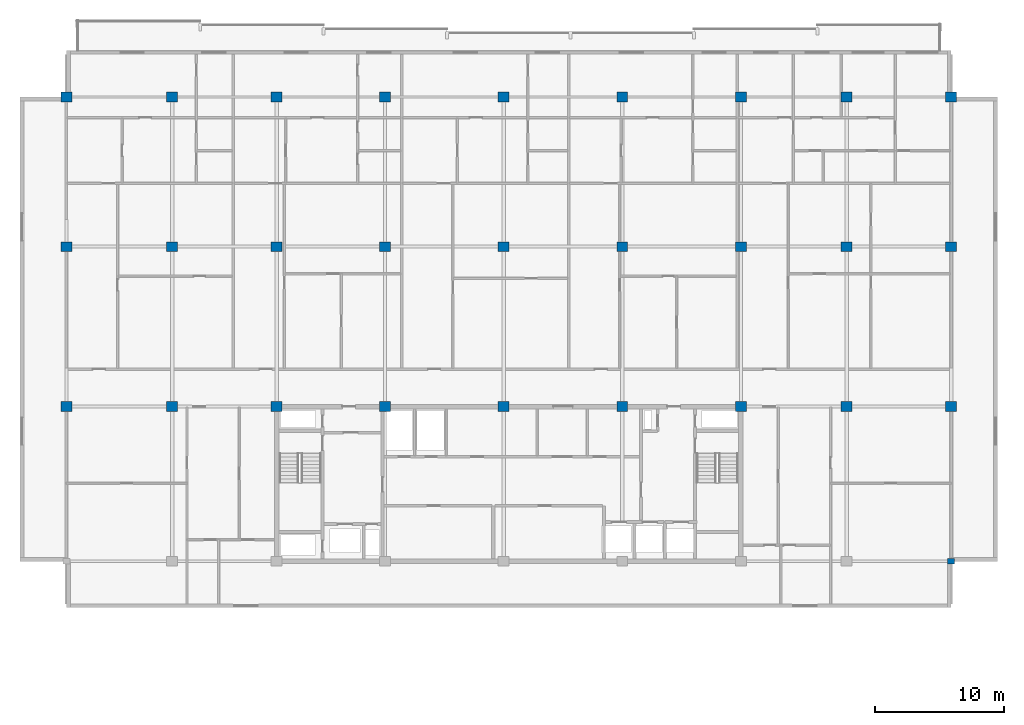
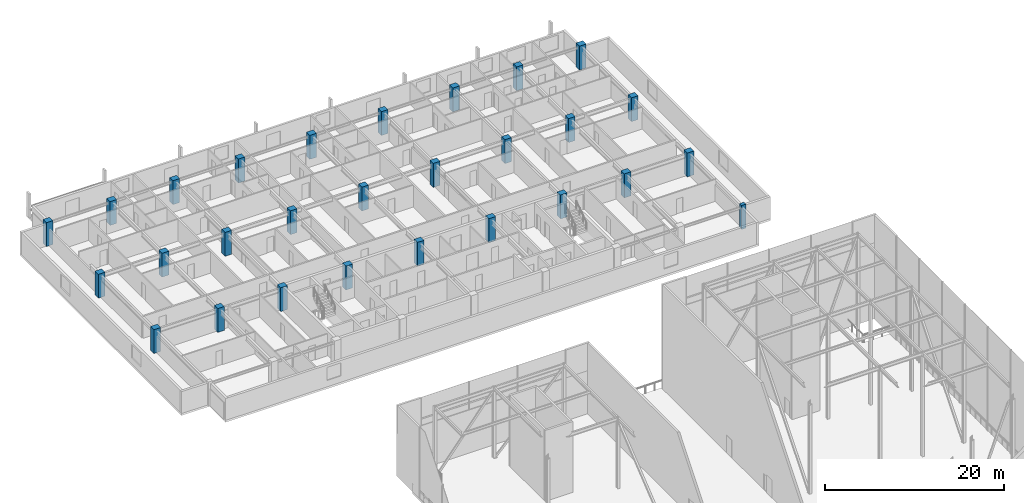
# One storey, part 5 of 42: 28 columns.
"""IFC4 building model written with IfcOpenShell, lengths in metres."""

from ifc_helpers import new_model, si_unit, direction, frame, origin, origin_2d, place, context, subcontext, project, spatial, rectangle, extrude, material, material_profile, profile_set, type_object, element, save


model = new_model("IFC4")

# Units and contexts
model_context = context("Model", 3, precision=1e-05, world=origin(), true_north=direction((0.0, 1.0)))
body_context = subcontext(model_context, "Body", "Model", "MODEL_VIEW")
ifc_project = project(units=[si_unit("LENGTHUNIT", "METRE"), si_unit("AREAUNIT", "SQUARE_METRE"), si_unit("VOLUMEUNIT", "CUBIC_METRE"), si_unit("PLANEANGLEUNIT", "RADIAN"), si_unit("MASSUNIT", "GRAM", prefix="KILO")], contexts=[model_context])

# Site, building, storey
site_placement = place(None, origin())
site = spatial("IfcSite", under=ifc_project, at=site_placement, CompositionType="ELEMENT")
building_placement = place(site_placement, origin())
building = spatial("IfcBuilding", under=site, at=building_placement, Name="Korimba Cascade Residences", CompositionType="ELEMENT")
storey_placement = place(building_placement, frame((0.0, 0.0, 207.60009765625)))
storey = spatial("IfcBuildingStorey", under=building, at=storey_placement, Name="L60", CompositionType="ELEMENT", Elevation=207.60009765625)

# Columns
ifc_material = material(Name="Concrete C65/80", Category="concrete")
ifc_material_profile_1 = material_profile(ifc_material, rectangle(XDim=0.550048828125, YDim=0.449951171875, at=origin_2d()), Name="Concrete C65/80")
ifc_profile_set_1 = profile_set([ifc_material_profile_1], Name="Concrete C65/80")
column_type_1 = type_object("IfcColumnType", Name="COL-PIL-550", PredefinedType="PILASTER", material=ifc_profile_set_1)
column_placement = place(storey_placement, frame((128.39990234375, 55.199951171875, 0.0), z_axis=(0.0, 0.0, 1.0), x_axis=(1.0, 0.0, 0.0)))
element("IfcColumn", 1, at=column_placement, inside=storey, type_object=column_type_1, Name="L60 Tower 1 Column 9.1", PredefinedType="PILASTER", context=body_context, shape_type="SweptSolid", body=[
    extrude(rectangle(XDim=0.550048828125, YDim=0.449951171875, at=origin_2d()), origin(), (0.0, 0.0, 1.0), 3.25),
])
ifc_material_profile_2 = material_profile(ifc_material, rectangle(XDim=0.85009765625, YDim=0.75, at=origin_2d()), Name="Concrete C65/80")
ifc_profile_set_2 = profile_set([ifc_material_profile_2], Name="Concrete C65/80")
column_type_2 = type_object("IfcColumnType", Name="COL-RC-850", PredefinedType="COLUMN", material=ifc_profile_set_2)
for number, where, z_axis, x_axis, name in (
    (2, (59.800048828125, 67.199951171875, 0.0), (0.0, 0.0, 1.0), (1.0, 0.0, 0.0), "L60 Tower 1 Column 1.2"),
    (3, (59.800048828125, 79.60009765625, 0.0), (0.0, 0.0, 1.0), (1.0, 0.0, 0.0), "L60 Tower 1 Column 1.3"),
    (4, (59.800048828125, 91.199951171875, 0.0), (0.0, 0.0, 1.0), (1.0, 0.0, 0.0), "L60 Tower 1 Column 1.4"),
    (5, (68.0, 67.199951171875, 0.0), (0.0, 0.0, 1.0), (1.0, 0.0, 0.0), "L60 Tower 1 Column 2.2"),
    (6, (68.0, 79.60009765625, 0.0), (0.0, 0.0, 1.0), (1.0, 0.0, 0.0), "L60 Tower 1 Column 2.3"),
    (7, (68.0, 91.199951171875, 0.0), (0.0, 0.0, 1.0), (1.0, 0.0, 0.0), "L60 Tower 1 Column 2.4"),
    (8, (76.10009765625, 67.199951171875, 0.0), (0.0, 0.0, 1.0), (1.0, 0.0, 0.0), "L60 Tower 1 Column 3.2"),
    (9, (76.10009765625, 79.60009765625, 0.0), (0.0, 0.0, 1.0), (1.0, 0.0, 0.0), "L60 Tower 1 Column 3.3"),
    (10, (76.10009765625, 91.199951171875, 0.0), (0.0, 0.0, 1.0), (1.0, 0.0, 0.0), "L60 Tower 1 Column 3.4"),
    (11, (84.5, 67.199951171875, 0.0), (0.0, 0.0, 1.0), (1.0, 0.0, 0.0), "L60 Tower 1 Column 4.2"),
    (12, (84.5, 79.60009765625, 0.0), (0.0, 0.0, 1.0), (1.0, 0.0, 0.0), "L60 Tower 1 Column 4.3"),
    (13, (84.5, 91.199951171875, 0.0), (0.0, 0.0, 1.0), (1.0, 0.0, 0.0), "L60 Tower 1 Column 4.4"),
    (14, (93.699951171875, 67.199951171875, 0.0), (0.0, 0.0, 1.0), (1.0, 0.0, 0.0), "L60 Tower 1 Column 5.2"),
    (15, (93.699951171875, 79.60009765625, 0.0), (0.0, 0.0, 1.0), (1.0, 0.0, 0.0), "L60 Tower 1 Column 5.3"),
    (16, (93.699951171875, 91.199951171875, 0.0), (0.0, 0.0, 1.0), (1.0, 0.0, 0.0), "L60 Tower 1 Column 5.4"),
    (17, (102.89990234375, 67.199951171875, 0.0), (0.0, 0.0, 1.0), (1.0, 0.0, 0.0), "L60 Tower 1 Column 6.2"),
    (18, (102.89990234375, 79.60009765625, 0.0), (0.0, 0.0, 1.0), (1.0, 0.0, 0.0), "L60 Tower 1 Column 6.3"),
    (19, (102.89990234375, 91.199951171875, 0.0), (0.0, 0.0, 1.0), (1.0, 0.0, 0.0), "L60 Tower 1 Column 6.4"),
    (20, (112.10009765625, 67.199951171875, 0.0), (0.0, 0.0, 1.0), (1.0, 0.0, 0.0), "L60 Tower 1 Column 7.2"),
    (21, (112.10009765625, 79.60009765625, 0.0), (0.0, 0.0, 1.0), (1.0, 0.0, 0.0), "L60 Tower 1 Column 7.3"),
    (22, (112.10009765625, 91.199951171875, 0.0), (0.0, 0.0, 1.0), (1.0, 0.0, 0.0), "L60 Tower 1 Column 7.4"),
    (23, (120.300048828125, 67.199951171875, 0.0), (0.0, 0.0, 1.0), (1.0, 0.0, 0.0), "L60 Tower 1 Column 8.2"),
    (24, (120.300048828125, 79.60009765625, 0.0), (0.0, 0.0, 1.0), (1.0, 0.0, 0.0), "L60 Tower 1 Column 8.3"),
    (25, (120.300048828125, 91.199951171875, 0.0), (0.0, 0.0, 1.0), (1.0, 0.0, 0.0), "L60 Tower 1 Column 8.4"),
    (26, (128.39990234375, 67.199951171875, 0.0), (0.0, 0.0, 1.0), (1.0, 0.0, 0.0), "L60 Tower 1 Column 9.2"),
    (27, (128.39990234375, 79.60009765625, 0.0), (0.0, 0.0, 1.0), (1.0, 0.0, 0.0), "L60 Tower 1 Column 9.3"),
    (28, (128.39990234375, 91.199951171875, 0.0), (0.0, 0.0, 1.0), (1.0, 0.0, 0.0), "L60 Tower 1 Column 9.4"),
):
    element("IfcColumn", number, at=place(storey_placement, frame(where, z_axis=z_axis, x_axis=x_axis)), inside=storey, type_object=column_type_2, Name=name, PredefinedType="COLUMN", context=body_context, shape_type="SweptSolid", body=[
        extrude(rectangle(XDim=0.85009765625, YDim=0.75, at=origin_2d()), origin(), (0.0, 0.0, 1.0), 3.25),
    ])

save(model, "model.ifc")
